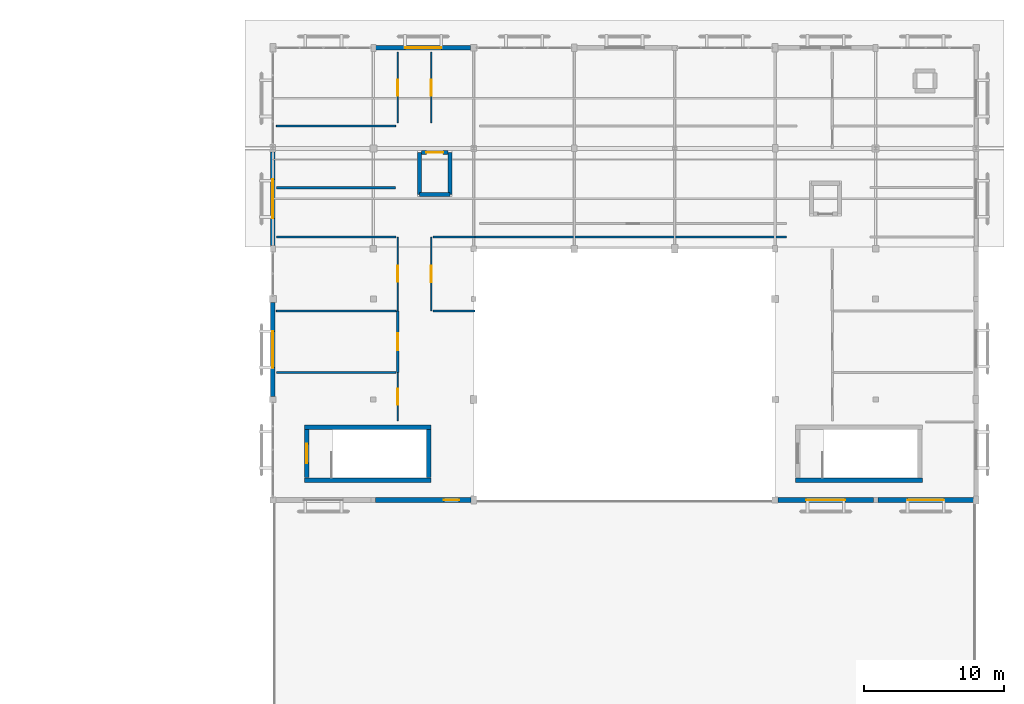
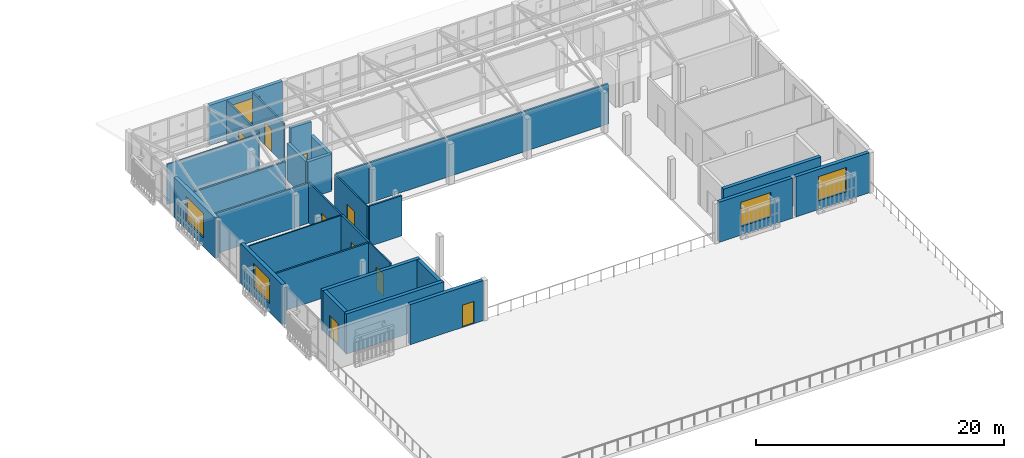
# One storey, part 51 of 61: 29 walls, 9 doors, 5 windows, 14 openings.
"""IFC4 building model written with IfcOpenShell, lengths in metres."""

from ifc_helpers import new_model, si_unit, direction, frame, frame_2d, origin, place, context, subcontext, project, spatial, rectangle, extrude, material, layer, layer_set, type_object, element, fill, save


model = new_model("IFC4")

# Units and contexts
model_context = context("Model", 3, precision=1e-05, world=origin(), true_north=direction((0.0, 1.0)))
body_context = subcontext(model_context, "Body", "Model", "MODEL_VIEW")
ifc_project = project(units=[si_unit("LENGTHUNIT", "METRE"), si_unit("AREAUNIT", "SQUARE_METRE"), si_unit("VOLUMEUNIT", "CUBIC_METRE"), si_unit("PLANEANGLEUNIT", "RADIAN"), si_unit("MASSUNIT", "GRAM", prefix="KILO")], contexts=[model_context])

# Site, building, storey
site_placement = place(None, origin())
site = spatial("IfcSite", under=ifc_project, at=site_placement, CompositionType="ELEMENT")
building_placement = place(site_placement, origin())
building = spatial("IfcBuilding", under=site, at=building_placement, Name="Mazaris Harbour Polytechnic", CompositionType="ELEMENT")
storey_placement = place(building_placement, frame((0.0, 0.0, 18.0)))
storey = spatial("IfcBuildingStorey", under=building, at=storey_placement, Name="L04", CompositionType="ELEMENT", Elevation=18.0)

# Walls
ifc_material_1 = material(Name="Gypsum Board and Mineral Wool")
ifc_layer_1 = layer(ifc_material_1, 0.1201171875, Name="Gypsum Board and Mineral Wool")
ifc_layer_set_1 = layer_set([ifc_layer_1], Name="Gypsum Board and Mineral Wool")
wall_type_1 = type_object("IfcWallType", Name="Acoustic Stud Partition 120", PredefinedType="PARTITIONING", material=ifc_layer_set_1)
wall_1_placement = place(storey_placement, frame((122.64990234375, 81.949951171875, 0.0), z_axis=(0.0, 0.0, 1.0), x_axis=(1.0, 0.0, 0.0)))
element("IfcWall", 1, at=wall_1_placement, inside=storey, type_object=wall_type_1, Name="V5 L04 Partition 666", PredefinedType="PARTITIONING", context=body_context, shape_type="SweptSolid", body=[
    extrude(rectangle(XDim=8.580078125, YDim=0.1201171875, at=frame_2d((4.2900390625, 0.0))), origin(), (0.0, 0.0, 1.0), 3.9599609375),
])
wall_2_placement = place(storey_placement, frame((122.64990234375, 95.199951171875, 0.0), z_axis=(0.0, 0.0, 1.0), x_axis=(1.0, 0.0, 0.0)))
element("IfcWall", 2, at=wall_2_placement, inside=storey, type_object=wall_type_1, Name="V5 L04 Partition 670", PredefinedType="PARTITIONING", context=body_context, shape_type="SweptSolid", body=[
    extrude(rectangle(XDim=8.545166015625, YDim=0.1201171875, at=frame_2d((4.2724609375, 0.0))), origin(), (0.0, 0.0, 1.0), 3.9599609375),
])
ifc_material_2 = material(Name="Double Gypsum and Mineral Wool")
ifc_layer_2 = layer(ifc_material_2, 0.14990234375, Name="Double Gypsum and Mineral Wool")
ifc_layer_set_2 = layer_set([ifc_layer_2], Name="Double Gypsum and Mineral Wool")
wall_type_2 = type_object("IfcWallType", Name="Classroom Acoustic Partition 150", PredefinedType="PARTITIONING", material=ifc_layer_set_2)
wall_3_placement = place(storey_placement, frame((122.64990234375, 87.25, 0.0), z_axis=(0.0, 0.0, 1.0), x_axis=(1.0, 0.0, 0.0)))
element("IfcWall", 3, at=wall_3_placement, inside=storey, type_object=wall_type_2, Name="V5 L04 Partition 668", PredefinedType="PARTITIONING", context=body_context, shape_type="SweptSolid", body=[
    extrude(rectangle(XDim=8.580078125, YDim=0.14990234375, at=frame_2d((4.2900390625, 0.0))), origin(), (0.0, 0.0, 1.0), 3.9599609375),
])
wall_4_placement = place(storey_placement, frame((133.8701171875, 81.949951171875, 0.0), z_axis=(0.0, 0.0, 1.0), x_axis=(1.0, 0.0, 0.0)))
element("IfcWall", 4, at=wall_4_placement, inside=storey, type_object=wall_type_2, Name="V5 L04 Partition 673", PredefinedType="PARTITIONING", context=body_context, shape_type="SweptSolid", body=[
    extrude(rectangle(XDim=3.009765625, YDim=0.14990234375, at=frame_2d((1.5048828125, 0.0))), origin(), (0.0, 0.0, 1.0), 3.9599609375),
])

# Wall, opening, door
ifc_material_3 = material(Name="Terracotta Block and Plaster", Category="masonry")
ifc_layer_3 = layer(ifc_material_3, 0.179931640625, Name="Terracotta Block and Plaster")
ifc_layer_set_3 = layer_set([ifc_layer_3], Name="Terracotta Block and Plaster")
wall_type_3 = type_object("IfcWallType", Name="Corridor Fire Partition 180", PredefinedType="PARTITIONING", material=ifc_layer_set_3)
wall_5_placement = place(storey_placement, frame((131.35009765625, 77.5380859375, 0.0), z_axis=(0.0, 0.0, 1.0), x_axis=(0.0, 1.0, 0.0)))
wall_5 = element("IfcWall", 5, at=wall_5_placement, inside=storey, type_object=wall_type_3, Name="V5 L04 Partition 665", PredefinedType="PARTITIONING", context=body_context, shape_type="SweptSolid", body=[
    extrude(rectangle(XDim=4.411865234375, YDim=0.179931640625, at=frame_2d((2.2060546875, 0.0))), origin(), (0.0, 0.0, 1.0), 3.9599609375),
])
opening_1_placement = place(wall_5_placement, frame((1.5859375, 0.0, 0.0)))
opening_1 = element("IfcOpeningElement", 6, at=opening_1_placement, cuts=wall_5, Name="Opening ID-10R", PredefinedType="OPENING", context=body_context, shape_type="SweptSolid", body=[
    extrude(rectangle(XDim=1.239990234375, YDim=2.25, at=frame_2d((0.6201171875, 1.125))), frame((0.0, 0.099853515625, 0.0), z_axis=(0.0, -1.0, 0.0), x_axis=(1.0, 0.0, 0.0)), (0.0, 0.0, 1.0), 0.199951171875),
])
ifc_material_4 = material(Name="Glulam Timber and Glass", Category="wood")
door_type_1 = type_object("IfcDoorType", Name="Library Commons Door RH 1240x2250", OperationType="SINGLE_SWING_RIGHT", PredefinedType="DOOR", material=ifc_material_4)
door_1_placement = place(opening_1_placement, origin())
door_1 = element("IfcDoor", 7, at=door_1_placement, inside=storey, type_object=door_type_1, Name="ID-0324", OperationType="SINGLE_SWING_RIGHT", OverallHeight=2.25, OverallWidth=1.239990234375, PredefinedType="DOOR", context=body_context, shape_type="SweptSolid", body=[
    extrude(rectangle(XDim=1.239990234375, YDim=2.25, at=frame_2d((0.6201171875, 1.125))), frame((0.0, 0.02490234375, 0.0), z_axis=(0.0, -1.0, 0.0), x_axis=(1.0, 0.0, 0.0)), (0.0, 0.0, 1.0), 0.050048828125),
])
fill(opening_1, door_1)

# Walls
ifc_material_5 = material(Name="Fireboard and Mineral Wool")
ifc_layer_4 = layer(ifc_material_5, 0.1650390625, Name="Fireboard and Mineral Wool")
ifc_layer_set_4 = layer_set([ifc_layer_4], Name="Fireboard and Mineral Wool")
wall_type_4 = type_object("IfcWallType", Name="Laboratory Rated Partition 165", PredefinedType="PARTITIONING", material=ifc_layer_set_4)
wall_6_placement = place(storey_placement, frame((122.64990234375, 77.532958984375, 0.0), z_axis=(0.0, 0.0, 1.0), x_axis=(1.0, 0.0, 0.0)))
element("IfcWall", 8, at=wall_6_placement, inside=storey, type_object=wall_type_4, Name="V5 L04 Partition 664", PredefinedType="PARTITIONING", context=body_context, shape_type="SweptSolid", body=[
    extrude(rectangle(XDim=8.580078125, YDim=0.1650390625, at=frame_2d((4.2900390625, 0.0))), origin(), (0.0, 0.0, 1.0), 3.9599609375),
])
wall_7_placement = place(storey_placement, frame((122.64990234375, 90.782958984375, 0.0), z_axis=(0.0, 0.0, 1.0), x_axis=(1.0, 0.0, 0.0)))
element("IfcWall", 9, at=wall_7_placement, inside=storey, type_object=wall_type_4, Name="V5 L04 Partition 669", PredefinedType="PARTITIONING", context=body_context, shape_type="SweptSolid", body=[
    extrude(rectangle(XDim=8.545166015625, YDim=0.1650390625, at=frame_2d((4.2724609375, 0.0))), origin(), (0.0, 0.0, 1.0), 3.9599609375),
])
wall_8_placement = place(storey_placement, frame((133.8701171875, 87.25, 0.0), z_axis=(0.0, 0.0, 1.0), x_axis=(1.0, 0.0, 0.0)))
element("IfcWall", 10, at=wall_8_placement, inside=storey, type_object=wall_type_4, Name="V5 L04 Partition 674", PredefinedType="PARTITIONING", context=body_context, shape_type="SweptSolid", body=[
    extrude(rectangle(XDim=3.009765625, YDim=0.1650390625, at=frame_2d((1.5048828125, 0.0))), origin(), (0.0, 0.0, 1.0), 3.9599609375),
])
wall_9_placement = place(storey_placement, frame((136.885009765625, 87.25, 0.0), z_axis=(0.0, 0.0, 1.0), x_axis=(1.0, 0.0, 0.0)))
element("IfcWall", 11, at=wall_9_placement, inside=storey, type_object=wall_type_4, Name="V5 L04 Partition 675", PredefinedType="PARTITIONING", context=body_context, shape_type="SweptSolid", body=[
    extrude(rectangle(XDim=22.31005859375, YDim=0.1650390625, at=frame_2d((11.155029296875, 0.0))), origin(), (0.0, 0.0, 1.0), 3.9599609375),
])

# Wall, opening, door
ifc_material_6 = material(Name="Algerian Buff Limestone and Mineral Wool", Category="masonry")
ifc_layer_5 = layer(ifc_material_6, 0.330078125, Name="Algerian Buff Limestone and Mineral Wool")
ifc_layer_set_5 = layer_set([ifc_layer_5], Name="Algerian Buff Limestone and Mineral Wool")
wall_type_5 = type_object("IfcWallType", Name="Limestone Cavity Wall 330", PredefinedType="STANDARD", material=ifc_layer_set_5)
wall_10_placement = place(storey_placement, frame((136.60791015625, 68.39990234375, 0.0), z_axis=(0.0, 0.0, 1.0), x_axis=(-1.0, 0.0, 0.0)))
wall_10 = element("IfcWall", 12, at=wall_10_placement, inside=storey, type_object=wall_type_5, Name="V5 L04 Exterior Wall 377", PredefinedType="STANDARD", context=body_context, shape_type="SweptSolid", body=[
    extrude(rectangle(XDim=6.845947265625, YDim=0.330078125, at=frame_2d((3.4228515625, 0.0))), origin(), (0.0, 0.0, 1.0), 3.9599609375),
])
opening_2_placement = place(wall_10_placement, frame((0.85791015625, 0.0, 0.0)))
opening_2 = element("IfcOpeningElement", 13, at=opening_2_placement, cuts=wall_10, Name="Opening ED-05", PredefinedType="OPENING", context=body_context, shape_type="SweptSolid", body=[
    extrude(rectangle(XDim=1.10009765625, YDim=2.199951171875, at=frame_2d((0.550048828125, 1.10009765625))), frame((0.0, 0.175048828125, 0.0), z_axis=(0.0, -1.0, 0.0), x_axis=(1.0, 0.0, 0.0)), (0.0, 0.0, 1.0), 0.35009765625),
])
ifc_material_7 = material(Name="Anodised Bronze Steel and Laminated Safety Glass", Category="steel")
door_type_2 = type_object("IfcDoorType", Name="Roof Garden Single Terrace Door 1100x2200", OperationType="SINGLE_SWING_LEFT", PredefinedType="DOOR", material=ifc_material_7)
door_2_placement = place(opening_2_placement, origin())
door_2 = element("IfcDoor", 14, at=door_2_placement, inside=storey, type_object=door_type_2, Name="TRD-36", OperationType="SINGLE_SWING_LEFT", OverallHeight=2.199951171875, OverallWidth=1.10009765625, PredefinedType="DOOR", context=body_context, shape_type="SweptSolid", body=[
    extrude(rectangle(XDim=1.10009765625, YDim=2.199951171875, at=frame_2d((0.550048828125, 1.10009765625))), frame((0.0, 0.02490234375, 0.0), z_axis=(0.0, -1.0, 0.0), x_axis=(1.0, 0.0, 0.0)), (0.0, 0.0, 1.0), 0.050048828125),
])
fill(opening_2, door_2)

# Wall, opening, window
wall_11_placement = place(storey_placement, frame((165.43798828125, 68.39990234375, 0.0), z_axis=(0.0, 0.0, 1.0), x_axis=(-1.0, 0.0, 0.0)))
wall_11 = element("IfcWall", 15, at=wall_11_placement, inside=storey, type_object=wall_type_5, Name="V5 L04 Exterior Wall 378", PredefinedType="STANDARD", context=body_context, shape_type="SweptSolid", body=[
    extrude(rectangle(XDim=6.8359375, YDim=0.330078125, at=frame_2d((3.41796875, 0.0))), origin(), (0.0, 0.0, 1.0), 3.9599609375),
])
opening_3_placement = place(wall_11_placement, frame((2.01806640625, 0.0, 0.85009765625)))
opening_3 = element("IfcOpeningElement", 16, at=opening_3_placement, cuts=wall_11, Name="Opening WN-09", PredefinedType="OPENING", context=body_context, shape_type="SweptSolid", body=[
    extrude(rectangle(XDim=2.800048828125, YDim=2.39990234375, at=frame_2d((1.39990234375, 1.199951171875))), frame((0.0, 0.175048828125, 0.0), z_axis=(0.0, -1.0, 0.0), x_axis=(1.0, 0.0, 0.0)), (0.0, 0.0, 1.0), 0.35009765625),
])
ifc_material_8 = material(Name="Thermally Broken Bronze Aluminium and Low-E Glass", Category="aluminium")
window_type_1 = type_object("IfcWindowType", Name="Studio North Window 2800x2400", PartitioningType="DOUBLE_PANEL_VERTICAL", PredefinedType="WINDOW", material=ifc_material_8)
window_1_placement = place(opening_3_placement, origin())
window_1 = element("IfcWindow", 17, at=window_1_placement, inside=storey, type_object=window_type_1, Name="WN-0439", OverallHeight=2.39990234375, OverallWidth=2.800048828125, PartitioningType="DOUBLE_PANEL_VERTICAL", PredefinedType="WINDOW", context=body_context, shape_type="SweptSolid", body=[
    extrude(rectangle(XDim=2.800048828125, YDim=2.39990234375, at=frame_2d((1.39990234375, 1.199951171875))), frame((0.0, 0.030029296875, 0.0), z_axis=(0.0, -1.0, 0.0), x_axis=(1.0, 0.0, 0.0)), (0.0, 0.0, 1.0), 0.06005859375),
])
fill(opening_3, window_1)

wall_12_placement = place(storey_placement, frame((172.60791015625, 68.39990234375, 0.0), z_axis=(0.0, 0.0, 1.0), x_axis=(-1.0, 0.0, 0.0)))
wall_12 = element("IfcWall", 18, at=wall_12_placement, inside=storey, type_object=wall_type_5, Name="V5 L04 Exterior Wall 379", PredefinedType="STANDARD", context=body_context, shape_type="SweptSolid", body=[
    extrude(rectangle(XDim=6.845947265625, YDim=0.330078125, at=frame_2d((3.4228515625, 0.0))), origin(), (0.0, 0.0, 1.0), 3.9599609375),
])
opening_4_placement = place(wall_12_placement, frame((2.123046875, 0.0, 0.85009765625)))
opening_4 = element("IfcOpeningElement", 19, at=opening_4_placement, cuts=wall_12, Name="Opening WN-08", PredefinedType="OPENING", context=body_context, shape_type="SweptSolid", body=[
    extrude(rectangle(XDim=2.60009765625, YDim=2.39990234375, at=frame_2d((1.300048828125, 1.199951171875))), frame((0.0, 0.175048828125, 0.0), z_axis=(0.0, -1.0, 0.0), x_axis=(1.0, 0.0, 0.0)), (0.0, 0.0, 1.0), 0.35009765625),
])
ifc_material_9 = material(Name="Thermally Broken Bronze Aluminium and Low-E Glass", Category="aluminium")
window_type_2 = type_object("IfcWindowType", Name="Studio North Window 2600x2400", PartitioningType="DOUBLE_PANEL_VERTICAL", PredefinedType="WINDOW", material=ifc_material_9)
window_2_placement = place(opening_4_placement, origin())
window_2 = element("IfcWindow", 20, at=window_2_placement, inside=storey, type_object=window_type_2, Name="WN-0440", OverallHeight=2.39990234375, OverallWidth=2.60009765625, PartitioningType="DOUBLE_PANEL_VERTICAL", PredefinedType="WINDOW", context=body_context, shape_type="SweptSolid", body=[
    extrude(rectangle(XDim=2.60009765625, YDim=2.39990234375, at=frame_2d((1.300048828125, 1.199951171875))), frame((0.0, 0.030029296875, 0.0), z_axis=(0.0, -1.0, 0.0), x_axis=(1.0, 0.0, 0.0)), (0.0, 0.0, 1.0), 0.06005859375),
])
fill(opening_4, window_2)

wall_13_placement = place(storey_placement, frame((129.77197265625, 100.800048828125, 0.0), z_axis=(0.0, 0.0, 1.0), x_axis=(1.0, 0.0, 0.0)))
wall_13 = element("IfcWall", 21, at=wall_13_placement, inside=storey, type_object=wall_type_5, Name="V5 L04 Exterior Wall 380", PredefinedType="STANDARD", context=body_context, shape_type="SweptSolid", body=[
    extrude(rectangle(XDim=6.805908203125, YDim=0.330078125, at=frame_2d((3.40283203125, 0.0))), origin(), (0.0, 0.0, 1.0), 3.9599609375),
])
opening_5_placement = place(wall_13_placement, frame((2.10302734375, 0.0, 0.85009765625)))
opening_5 = element("IfcOpeningElement", 22, at=opening_5_placement, cuts=wall_13, Name="Opening WN-08", PredefinedType="OPENING", context=body_context, shape_type="SweptSolid", body=[
    extrude(rectangle(XDim=2.60009765625, YDim=2.39990234375, at=frame_2d((1.300048828125, 1.199951171875))), frame((0.0, 0.175048828125, 0.0), z_axis=(0.0, -1.0, 0.0), x_axis=(1.0, 0.0, 0.0)), (0.0, 0.0, 1.0), 0.35009765625),
])
window_3_placement = place(opening_5_placement, origin())
window_3 = element("IfcWindow", 23, at=window_3_placement, inside=storey, type_object=window_type_2, Name="WN-0441", OverallHeight=2.39990234375, OverallWidth=2.60009765625, PartitioningType="DOUBLE_PANEL_VERTICAL", PredefinedType="WINDOW", context=body_context, shape_type="SweptSolid", body=[
    extrude(rectangle(XDim=2.60009765625, YDim=2.39990234375, at=frame_2d((1.300048828125, 1.199951171875))), frame((0.0, 0.030029296875, 0.0), z_axis=(0.0, -1.0, 0.0), x_axis=(1.0, 0.0, 0.0)), (0.0, 0.0, 1.0), 0.06005859375),
])
fill(opening_5, window_3)

wall_14_placement = place(storey_placement, frame((122.39990234375, 75.822021484375, 0.0), z_axis=(0.0, 0.0, 1.0), x_axis=(0.0, 1.0, 0.0)))
wall_14 = element("IfcWall", 24, at=wall_14_placement, inside=storey, type_object=wall_type_5, Name="V5 L04 Exterior Wall 383", PredefinedType="STANDARD", context=body_context, shape_type="SweptSolid", body=[
    extrude(rectangle(XDim=6.736083984375, YDim=0.330078125, at=frame_2d((3.3681640625, 0.0))), origin(), (0.0, 0.0, 1.0), 3.9599609375),
])
opening_6_placement = place(wall_14_placement, frame((2.068115234375, 0.0, 0.85009765625)))
opening_6 = element("IfcOpeningElement", 25, at=opening_6_placement, cuts=wall_14, Name="Opening WN-08", PredefinedType="OPENING", context=body_context, shape_type="SweptSolid", body=[
    extrude(rectangle(XDim=2.60009765625, YDim=2.39990234375, at=frame_2d((1.300048828125, 1.199951171875))), frame((0.0, 0.175048828125, 0.0), z_axis=(0.0, -1.0, 0.0), x_axis=(1.0, 0.0, 0.0)), (0.0, 0.0, 1.0), 0.35009765625),
])
window_4_placement = place(opening_6_placement, origin())
window_4 = element("IfcWindow", 26, at=window_4_placement, inside=storey, type_object=window_type_2, Name="WN-0445", OverallHeight=2.39990234375, OverallWidth=2.60009765625, PartitioningType="DOUBLE_PANEL_VERTICAL", PredefinedType="WINDOW", context=body_context, shape_type="SweptSolid", body=[
    extrude(rectangle(XDim=2.60009765625, YDim=2.39990234375, at=frame_2d((1.300048828125, 1.199951171875))), frame((0.0, 0.030029296875, 0.0), z_axis=(0.0, -1.0, 0.0), x_axis=(1.0, 0.0, 0.0)), (0.0, 0.0, 1.0), 0.06005859375),
])
fill(opening_6, window_4)

wall_15_placement = place(storey_placement, frame((122.39990234375, 86.632080078125, 0.0), z_axis=(0.0, 0.0, 1.0), x_axis=(0.0, 1.0, 0.0)))
wall_15 = element("IfcWall", 27, at=wall_15_placement, inside=storey, type_object=wall_type_5, Name="V5 L04 Exterior Wall 384", PredefinedType="STANDARD", context=body_context, shape_type="SweptSolid", body=[
    extrude(rectangle(XDim=6.705810546875, YDim=0.330078125, at=frame_2d((3.35302734375, 0.0))), origin(), (0.0, 0.0, 1.0), 3.9599609375),
])
opening_7_placement = place(wall_15_placement, frame((1.952880859375, 0.0, 0.85009765625)))
opening_7 = element("IfcOpeningElement", 28, at=opening_7_placement, cuts=wall_15, Name="Opening WN-09", PredefinedType="OPENING", context=body_context, shape_type="SweptSolid", body=[
    extrude(rectangle(XDim=2.800048828125, YDim=2.39990234375, at=frame_2d((1.39990234375, 1.199951171875))), frame((0.0, 0.175048828125, 0.0), z_axis=(0.0, -1.0, 0.0), x_axis=(1.0, 0.0, 0.0)), (0.0, 0.0, 1.0), 0.35009765625),
])
window_5_placement = place(opening_7_placement, origin())
window_5 = element("IfcWindow", 29, at=window_5_placement, inside=storey, type_object=window_type_1, Name="WN-0446", OverallHeight=2.39990234375, OverallWidth=2.800048828125, PartitioningType="DOUBLE_PANEL_VERTICAL", PredefinedType="WINDOW", context=body_context, shape_type="SweptSolid", body=[
    extrude(rectangle(XDim=2.800048828125, YDim=2.39990234375, at=frame_2d((1.39990234375, 1.199951171875))), frame((0.0, 0.030029296875, 0.0), z_axis=(0.0, -1.0, 0.0), x_axis=(1.0, 0.0, 0.0)), (0.0, 0.0, 1.0), 0.06005859375),
])
fill(opening_7, window_5)

# Walls
ifc_material_10 = material(Name="Concrete C40/50", Category="concrete")
ifc_layer_6 = layer(ifc_material_10, 0.324951171875, Name="Concrete C40/50")
ifc_layer_set_6 = layer_set([ifc_layer_6], Name="Concrete C40/50")
wall_type_6 = type_object("IfcWallType", Name="RC Core Shear Wall 325", PredefinedType="SHEAR", material=ifc_layer_set_6)
for number, where, z_axis, x_axis, name in (
    (30, (124.64990234375, 69.824951171875, 0.0), (0.0, 0.0, 1.0), (1.0, 0.0, 0.0), "Core ST09 L04 Shear Wall S"),
    (31, (133.75, 73.625, 0.0), (0.0, 0.0, 1.0), (-1.0, 0.0, 0.0), "Core ST09 L04 Shear Wall N"),
):
    element("IfcWall", number, at=place(storey_placement, frame(where, z_axis=z_axis, x_axis=x_axis)), inside=storey, type_object=wall_type_6, Name=name, PredefinedType="SHEAR", context=body_context, shape_type="SweptSolid", body=[
        extrude(rectangle(XDim=9.10009765625, YDim=0.324951171875, at=frame_2d((4.550048828125, 0.0))), origin(), (0.0, 0.0, 1.0), 3.9599609375),
    ])
wall_16_placement = place(storey_placement, frame((133.574951171875, 70.0, 0.0), z_axis=(0.0, 0.0, 1.0), x_axis=(0.0, 1.0, 0.0)))
element("IfcWall", 32, at=wall_16_placement, inside=storey, type_object=wall_type_6, Name="Core ST09 L04 Shear Wall E", PredefinedType="SHEAR", context=body_context, shape_type="SweptSolid", body=[
    extrude(rectangle(XDim=3.449951171875, YDim=0.324951171875, at=frame_2d((1.72509765625, 0.0))), origin(), (0.0, 0.0, 1.0), 3.9599609375),
])
wall_17_placement = place(storey_placement, frame((159.85009765625, 69.824951171875, 0.0), z_axis=(0.0, 0.0, 1.0), x_axis=(1.0, 0.0, 0.0)))
element("IfcWall", 33, at=wall_17_placement, inside=storey, type_object=wall_type_6, Name="Core ST10 L04 Shear Wall S", PredefinedType="SHEAR", context=body_context, shape_type="SweptSolid", body=[
    extrude(rectangle(XDim=9.099853515625, YDim=0.324951171875, at=frame_2d((4.5498046875, 0.0))), origin(), (0.0, 0.0, 1.0), 3.9599609375),
])

# Wall, opening, door
wall_18_placement = place(storey_placement, frame((124.824951171875, 73.449951171875, 0.0), z_axis=(0.0, 0.0, 1.0), x_axis=(0.0, -1.0, 0.0)))
wall_18 = element("IfcWall", 34, at=wall_18_placement, inside=storey, type_object=wall_type_6, Name="Core ST09 L04 Entrance Shear Wall", PredefinedType="SHEAR", context=body_context, shape_type="SweptSolid", body=[
    extrude(rectangle(XDim=3.449951171875, YDim=0.324951171875, at=frame_2d((1.72509765625, 0.0))), origin(), (0.0, 0.0, 1.0), 3.9599609375),
])
opening_8_placement = place(wall_18_placement, frame((1.034912109375, 0.0, 0.0)))
opening_8 = element("IfcOpeningElement", 35, at=opening_8_placement, cuts=wall_18, Name="Opening SD-01", PredefinedType="OPENING", context=body_context, shape_type="SweptSolid", body=[
    extrude(rectangle(XDim=1.3798828125, YDim=2.199951171875, at=frame_2d((0.68994140625, 1.10009765625))), frame((0.0, 0.17236328125, 0.0), z_axis=(0.0, -1.0, 0.0), x_axis=(1.0, 0.0, 0.0)), (0.0, 0.0, 1.0), 0.344970703125),
])
ifc_material_11 = material(Name="Glulam Timber and Fire Glass", Category="wood")
door_type_3 = type_object("IfcDoorType", Name="Protected Stair Lobby Fire Door 1380x2200", OperationType="DOUBLE_DOOR_SINGLE_SWING", PredefinedType="DOOR", material=ifc_material_11)
door_3_placement = place(opening_8_placement, origin())
door_3 = element("IfcDoor", 36, at=door_3_placement, inside=storey, type_object=door_type_3, Name="SD-047", OperationType="DOUBLE_DOOR_SINGLE_SWING", OverallHeight=2.199951171875, OverallWidth=1.3798828125, PredefinedType="DOOR", context=body_context, shape_type="SweptSolid", body=[
    extrude(rectangle(XDim=1.3798828125, YDim=2.199951171875, at=frame_2d((0.68994140625, 1.10009765625))), frame((0.0, 0.02490234375, 0.0), z_axis=(0.0, -1.0, 0.0), x_axis=(1.0, 0.0, 0.0)), (0.0, 0.0, 1.0), 0.050048828125),
])
fill(opening_8, door_3)

# Walls
ifc_material_12 = material(Name="Concrete C40/50", Category="concrete")
ifc_layer_7 = layer(ifc_material_12, 0.300048828125, Name="Concrete C40/50")
ifc_layer_set_7 = layer_set([ifc_layer_7], Name="Concrete C40/50")
wall_type_7 = type_object("IfcWallType", Name="RC Lift Shaft Wall 300", PredefinedType="SHEAR", material=ifc_layer_set_7)
wall_19_placement = place(storey_placement, frame((132.89990234375, 90.300048828125, 0.0), z_axis=(0.0, 0.0, 1.0), x_axis=(1.0, 0.0, 0.0)))
element("IfcWall", 37, at=wall_19_placement, inside=storey, type_object=wall_type_7, Name="Lift LF-02 L04 South Shaft Wall", PredefinedType="SHEAR", context=body_context, shape_type="SweptSolid", body=[
    extrude(rectangle(XDim=2.2001953125, YDim=0.300048828125, at=frame_2d((1.10009765625, 0.0))), origin(), (0.0, 0.0, 1.0), 3.639892578125),
])
for number, where, z_axis, x_axis, name in (
    (38, (132.89990234375, 93.300048828125, 0.0), (0.0, 0.0, 1.0), (0.0, -1.0, 0.0), "Lift LF-02 L04 West Shaft Wall"),
    (39, (135.10009765625, 90.300048828125, 0.0), (0.0, 0.0, 1.0), (0.0, 1.0, 0.0), "Lift LF-02 L04 East Shaft Wall"),
):
    element("IfcWall", number, at=place(storey_placement, frame(where, z_axis=z_axis, x_axis=x_axis)), inside=storey, type_object=wall_type_7, Name=name, PredefinedType="SHEAR", context=body_context, shape_type="SweptSolid", body=[
        extrude(rectangle(XDim=3.0, YDim=0.300048828125, at=frame_2d((1.5, 0.0))), origin(), (0.0, 0.0, 1.0), 3.639892578125),
    ])

# Wall, opening, door
wall_20_placement = place(storey_placement, frame((133.0400390625, 93.300048828125, 0.0), z_axis=(0.0, 0.0, 1.0), x_axis=(1.0, 0.0, 0.0)))
wall_20 = element("IfcWall", 40, at=wall_20_placement, inside=storey, type_object=wall_type_7, Name="Lift LF-02 L04 Front Shaft Wall", PredefinedType="SHEAR", context=body_context, shape_type="SweptSolid", body=[
    extrude(rectangle(XDim=1.919921875, YDim=0.300048828125, at=frame_2d((0.9599609375, 0.0))), origin(), (0.0, 0.0, 1.0), 5.10009765625),
])
opening_9_placement = place(wall_20_placement, frame((0.360107421875, 0.0, 0.0)))
opening_9 = element("IfcOpeningElement", 41, at=opening_9_placement, cuts=wall_20, Name="Opening LD-02", PredefinedType="OPENING", context=body_context, shape_type="SweptSolid", body=[
    extrude(rectangle(XDim=1.199951171875, YDim=2.10009765625, at=frame_2d((0.60009765625, 1.050048828125))), frame((0.0, 0.159912109375, 0.0), z_axis=(0.0, -1.0, 0.0), x_axis=(1.0, 0.0, 0.0)), (0.0, 0.0, 1.0), 0.320068359375),
])
ifc_material_13 = material(Name="Stainless Steel S355", Category="steel")
door_type_4 = type_object("IfcDoorType", Name="Sliding Firefighting Lift Landing Door 1200x2100", OperationType="SLIDING_TO_LEFT", PredefinedType="DOOR", material=ifc_material_13)
door_4_placement = place(opening_9_placement, origin())
door_4 = element("IfcDoor", 42, at=door_4_placement, inside=storey, type_object=door_type_4, Name="LD-013", OperationType="SLIDING_TO_LEFT", OverallHeight=2.10009765625, OverallWidth=1.199951171875, PredefinedType="DOOR", context=body_context, shape_type="SweptSolid", body=[
    extrude(rectangle(XDim=1.199951171875, YDim=2.10009765625, at=frame_2d((0.60009765625, 1.050048828125))), frame((0.0, 0.02490234375, 0.0), z_axis=(0.0, -1.0, 0.0), x_axis=(1.0, 0.0, 0.0)), (0.0, 0.0, 1.0), 0.050048828125),
])
fill(opening_9, door_4)

ifc_material_14 = material(Name="Gypsum Board and Mineral Wool")
ifc_layer_8 = layer(ifc_material_14, 0.135009765625, Name="Gypsum Board and Mineral Wool")
ifc_layer_set_8 = layer_set([ifc_layer_8], Name="Gypsum Board and Mineral Wool")
wall_type_8 = type_object("IfcWallType", Name="Studio Partition Wall 135", PredefinedType="PARTITIONING", material=ifc_layer_set_8)
wall_21_placement = place(storey_placement, frame((131.35009765625, 74.054931640625, 0.0), z_axis=(0.0, 0.0, 1.0), x_axis=(0.0, 1.0, 0.0)))
wall_21 = element("IfcWall", 43, at=wall_21_placement, inside=storey, type_object=wall_type_8, Name="V5 L04 Partition 663", PredefinedType="PARTITIONING", context=body_context, shape_type="SweptSolid", body=[
    extrude(rectangle(XDim=3.47802734375, YDim=0.135009765625, at=frame_2d((1.739013671875, 0.0))), origin(), (0.0, 0.0, 1.0), 3.9599609375),
])
opening_10_placement = place(wall_21_placement, frame((1.1640625, 0.0, 0.0)))
opening_10 = element("IfcOpeningElement", 44, at=opening_10_placement, cuts=wall_21, Name="Opening ID-03L", PredefinedType="OPENING", context=body_context, shape_type="SweptSolid", body=[
    extrude(rectangle(XDim=1.14990234375, YDim=2.199951171875, at=frame_2d((0.574951171875, 1.10009765625))), frame((0.0, 0.077392578125, 0.0), z_axis=(0.0, -1.0, 0.0), x_axis=(1.0, 0.0, 0.0)), (0.0, 0.0, 1.0), 0.155029296875),
])
ifc_material_15 = material(Name="Glulam Timber and Acoustic Glass", Category="wood")
door_type_5 = type_object("IfcDoorType", Name="Design Studio Door LH 1150x2200", OperationType="SINGLE_SWING_LEFT", PredefinedType="DOOR", material=ifc_material_15)
door_5_placement = place(opening_10_placement, origin())
door_5 = element("IfcDoor", 45, at=door_5_placement, inside=storey, type_object=door_type_5, Name="ID-0323", OperationType="SINGLE_SWING_LEFT", OverallHeight=2.199951171875, OverallWidth=1.14990234375, PredefinedType="DOOR", context=body_context, shape_type="SweptSolid", body=[
    extrude(rectangle(XDim=1.14990234375, YDim=2.199951171875, at=frame_2d((0.574951171875, 1.10009765625))), frame((0.0, 0.02490234375, 0.0), z_axis=(0.0, -1.0, 0.0), x_axis=(1.0, 0.0, 0.0)), (0.0, 0.0, 1.0), 0.050048828125),
])
fill(opening_10, door_5)

wall_22_placement = place(storey_placement, frame((131.35009765625, 81.955078125, 0.0), z_axis=(0.0, 0.0, 1.0), x_axis=(0.0, 1.0, 0.0)))
wall_22 = element("IfcWall", 46, at=wall_22_placement, inside=storey, type_object=wall_type_8, Name="V5 L04 Partition 667", PredefinedType="PARTITIONING", context=body_context, shape_type="SweptSolid", body=[
    extrude(rectangle(XDim=5.294921875, YDim=0.135009765625, at=frame_2d((2.6474609375, 0.0))), origin(), (0.0, 0.0, 1.0), 3.9599609375),
])
opening_11_placement = place(wall_22_placement, frame((2.072509765625, 0.0, 0.0)))
opening_11 = element("IfcOpeningElement", 47, at=opening_11_placement, cuts=wall_22, Name="Opening ID-03L", PredefinedType="OPENING", context=body_context, shape_type="SweptSolid", body=[
    extrude(rectangle(XDim=1.14990234375, YDim=2.199951171875, at=frame_2d((0.574951171875, 1.10009765625))), frame((0.0, 0.077392578125, 0.0), z_axis=(0.0, -1.0, 0.0), x_axis=(1.0, 0.0, 0.0)), (0.0, 0.0, 1.0), 0.155029296875),
])
door_6_placement = place(opening_11_placement, origin())
door_6 = element("IfcDoor", 48, at=door_6_placement, inside=storey, type_object=door_type_5, Name="ID-0325", OperationType="SINGLE_SWING_LEFT", OverallHeight=2.199951171875, OverallWidth=1.14990234375, PredefinedType="DOOR", context=body_context, shape_type="SweptSolid", body=[
    extrude(rectangle(XDim=1.14990234375, YDim=2.199951171875, at=frame_2d((0.574951171875, 1.10009765625))), frame((0.0, 0.02490234375, 0.0), z_axis=(0.0, -1.0, 0.0), x_axis=(1.0, 0.0, 0.0)), (0.0, 0.0, 1.0), 0.050048828125),
])
fill(opening_11, door_6)

wall_23_placement = place(storey_placement, frame((131.35009765625, 95.405029296875, 0.0), z_axis=(0.0, 0.0, 1.0), x_axis=(0.0, 1.0, 0.0)))
wall_23 = element("IfcWall", 49, at=wall_23_placement, inside=storey, type_object=wall_type_8, Name="V5 L04 Partition 671", PredefinedType="PARTITIONING", context=body_context, shape_type="SweptSolid", body=[
    extrude(rectangle(XDim=5.094970703125, YDim=0.135009765625, at=frame_2d((2.54736328125, 0.0))), origin(), (0.0, 0.0, 1.0), 3.9599609375),
])
opening_12_placement = place(wall_23_placement, frame((1.967529296875, 0.0, 0.0)))
opening_12 = element("IfcOpeningElement", 50, at=opening_12_placement, cuts=wall_23, Name="Opening ID-03R", PredefinedType="OPENING", context=body_context, shape_type="SweptSolid", body=[
    extrude(rectangle(XDim=1.159912109375, YDim=2.199951171875, at=frame_2d((0.580078125, 1.10009765625))), frame((0.0, 0.077392578125, 0.0), z_axis=(0.0, -1.0, 0.0), x_axis=(1.0, 0.0, 0.0)), (0.0, 0.0, 1.0), 0.155029296875),
])
ifc_material_16 = material(Name="Glulam Timber and Acoustic Glass", Category="wood")
door_type_6 = type_object("IfcDoorType", Name="Design Studio Door RH 1160x2200", OperationType="SINGLE_SWING_RIGHT", PredefinedType="DOOR", material=ifc_material_16)
door_7_placement = place(opening_12_placement, origin())
door_7 = element("IfcDoor", 51, at=door_7_placement, inside=storey, type_object=door_type_6, Name="ID-0326", OperationType="SINGLE_SWING_RIGHT", OverallHeight=2.199951171875, OverallWidth=1.159912109375, PredefinedType="DOOR", context=body_context, shape_type="SweptSolid", body=[
    extrude(rectangle(XDim=1.159912109375, YDim=2.199951171875, at=frame_2d((0.580078125, 1.10009765625))), frame((0.0, 0.02490234375, 0.0), z_axis=(0.0, -1.0, 0.0), x_axis=(1.0, 0.0, 0.0)), (0.0, 0.0, 1.0), 0.050048828125),
])
fill(opening_12, door_7)

wall_24_placement = place(storey_placement, frame((133.75, 81.949951171875, 0.0), z_axis=(0.0, 0.0, 1.0), x_axis=(0.0, 1.0, 0.0)))
wall_24 = element("IfcWall", 52, at=wall_24_placement, inside=storey, type_object=wall_type_8, Name="V5 L04 Partition 672", PredefinedType="PARTITIONING", context=body_context, shape_type="SweptSolid", body=[
    extrude(rectangle(XDim=5.300048828125, YDim=0.135009765625, at=frame_2d((2.64990234375, 0.0))), origin(), (0.0, 0.0, 1.0), 3.9599609375),
])
opening_13_placement = place(wall_24_placement, frame((2.070068359375, 0.0, 0.0)))
opening_13 = element("IfcOpeningElement", 53, at=opening_13_placement, cuts=wall_24, Name="Opening ID-03R", PredefinedType="OPENING", context=body_context, shape_type="SweptSolid", body=[
    extrude(rectangle(XDim=1.159912109375, YDim=2.199951171875, at=frame_2d((0.580078125, 1.10009765625))), frame((0.0, 0.077392578125, 0.0), z_axis=(0.0, -1.0, 0.0), x_axis=(1.0, 0.0, 0.0)), (0.0, 0.0, 1.0), 0.155029296875),
])
door_8_placement = place(opening_13_placement, origin())
door_8 = element("IfcDoor", 54, at=door_8_placement, inside=storey, type_object=door_type_6, Name="ID-0327", OperationType="SINGLE_SWING_RIGHT", OverallHeight=2.199951171875, OverallWidth=1.159912109375, PredefinedType="DOOR", context=body_context, shape_type="SweptSolid", body=[
    extrude(rectangle(XDim=1.159912109375, YDim=2.199951171875, at=frame_2d((0.580078125, 1.10009765625))), frame((0.0, 0.02490234375, 0.0), z_axis=(0.0, -1.0, 0.0), x_axis=(1.0, 0.0, 0.0)), (0.0, 0.0, 1.0), 0.050048828125),
])
fill(opening_13, door_8)

wall_25_placement = place(storey_placement, frame((133.75, 95.405029296875, 0.0), z_axis=(0.0, 0.0, 1.0), x_axis=(0.0, 1.0, 0.0)))
wall_25 = element("IfcWall", 55, at=wall_25_placement, inside=storey, type_object=wall_type_8, Name="V5 L04 Partition 676", PredefinedType="PARTITIONING", context=body_context, shape_type="SweptSolid", body=[
    extrude(rectangle(XDim=5.094970703125, YDim=0.135009765625, at=frame_2d((2.54736328125, 0.0))), origin(), (0.0, 0.0, 1.0), 3.9599609375),
])
opening_14_placement = place(wall_25_placement, frame((1.972412109375, 0.0, 0.0)))
opening_14 = element("IfcOpeningElement", 56, at=opening_14_placement, cuts=wall_25, Name="Opening ID-03L", PredefinedType="OPENING", context=body_context, shape_type="SweptSolid", body=[
    extrude(rectangle(XDim=1.14990234375, YDim=2.199951171875, at=frame_2d((0.574951171875, 1.10009765625))), frame((0.0, 0.077392578125, 0.0), z_axis=(0.0, -1.0, 0.0), x_axis=(1.0, 0.0, 0.0)), (0.0, 0.0, 1.0), 0.155029296875),
])
door_9_placement = place(opening_14_placement, origin())
door_9 = element("IfcDoor", 57, at=door_9_placement, inside=storey, type_object=door_type_5, Name="ID-0328", OperationType="SINGLE_SWING_LEFT", OverallHeight=2.199951171875, OverallWidth=1.14990234375, PredefinedType="DOOR", context=body_context, shape_type="SweptSolid", body=[
    extrude(rectangle(XDim=1.14990234375, YDim=2.199951171875, at=frame_2d((0.574951171875, 1.10009765625))), frame((0.0, 0.02490234375, 0.0), z_axis=(0.0, -1.0, 0.0), x_axis=(1.0, 0.0, 0.0)), (0.0, 0.0, 1.0), 0.050048828125),
])
fill(opening_14, door_9)

save(model, "model.ifc")
